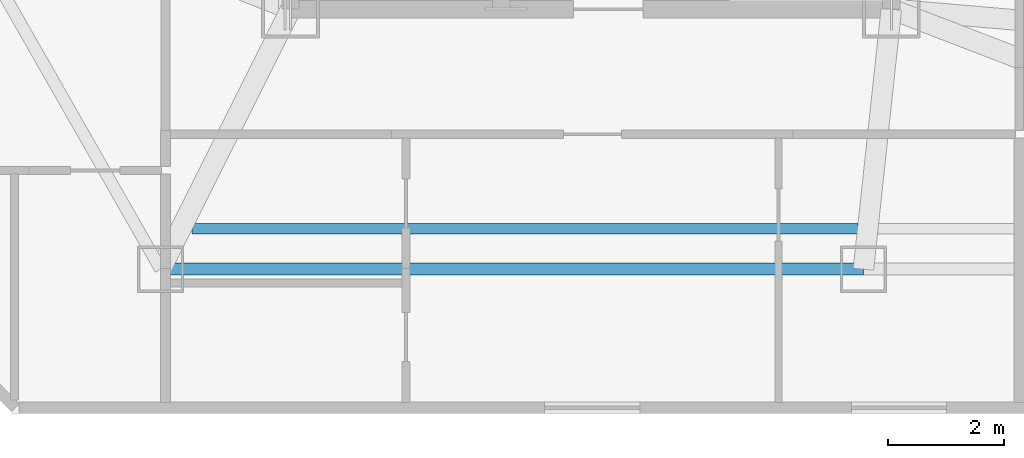
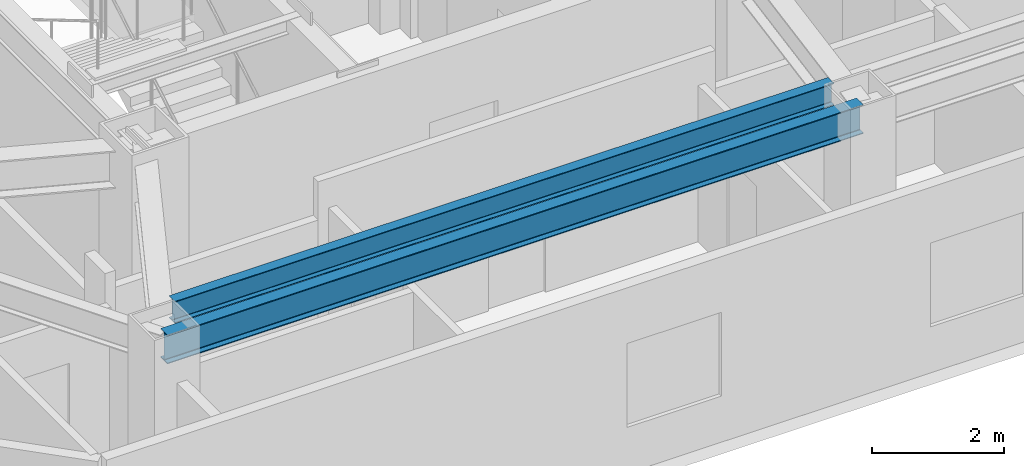
# One storey, part 3 of 14: 2 beams.
"""IFC4 building model written with IfcOpenShell, lengths in metres."""

from ifc_helpers import new_model, si_unit, direction, frame, origin, origin_2d, place, context, subcontext, project, spatial, i_section, extrude, material, material_profile, profile_set, type_object, element, save


model = new_model("IFC4")

# Units and contexts
model_context = context("Model", 3, precision=1e-05, world=origin(), true_north=direction((0.0, 1.0)))
body_context = subcontext(model_context, "Body", "Model", "MODEL_VIEW")
ifc_project = project(units=[si_unit("LENGTHUNIT", "METRE"), si_unit("AREAUNIT", "SQUARE_METRE"), si_unit("VOLUMEUNIT", "CUBIC_METRE"), si_unit("PLANEANGLEUNIT", "RADIAN"), si_unit("MASSUNIT", "GRAM", prefix="KILO")], contexts=[model_context])

# Site, building, storey
site_placement = place(None, origin())
site = spatial("IfcSite", under=ifc_project, at=site_placement, CompositionType="ELEMENT")
building_placement = place(site_placement, origin())
building = spatial("IfcBuilding", under=site, at=building_placement, Name="Khamvora Tower", CompositionType="ELEMENT")
storey_placement = place(building_placement, frame((0.0, 0.0, 253.699951171875)))
storey = spatial("IfcBuildingStorey", under=building, at=storey_placement, Name="L65", CompositionType="ELEMENT", Elevation=253.699951171875)

# Beams
ifc_material = material(Name="Steel S355", Category="steel")
ifc_material_profile_1 = material_profile(ifc_material, i_section(OverallWidth=0.177978515625, OverallDepth=0.406982421875, WebThickness=0.008056640625, FlangeThickness=0.012939453125, FilletRadius=0.010009765625, at=origin_2d()), Name="W410x60")
ifc_profile_set_1 = profile_set([ifc_material_profile_1], Name="Steel S355")
beam_type_1 = type_object("IfcBeamType", Name="BM-JS-W410x60", PredefinedType="JOIST", material=ifc_profile_set_1)
beam_1_placement = place(storey_placement, frame((27.29296875, 15.199951171875, 3.22607421875), z_axis=(1.0, 0.0, 0.0), x_axis=(0.0, 1.0, 0.0)))
element("IfcBeam", 1, at=beam_1_placement, inside=storey, type_object=beam_type_1, Name="L65 secondary floor joist 01", PredefinedType="JOIST", context=body_context, shape_type="SweptSolid", body=[
    extrude(i_section(OverallWidth=0.177978515625, OverallDepth=0.406982421875, WebThickness=0.008056640625, FlangeThickness=0.012939453125, FilletRadius=0.010009765625, at=origin_2d()), origin(), (0.0, 0.0, 1.0), 11.526123046875),
])
ifc_material_profile_2 = material_profile(ifc_material, i_section(OverallWidth=0.208984375, OverallDepth=0.532958984375, WebThickness=0.010009765625, FlangeThickness=0.01611328125, FilletRadius=0.013916015625, at=origin_2d()), Name="W530x92")
ifc_profile_set_2 = profile_set([ifc_material_profile_2], Name="Steel S355")
beam_type_2 = type_object("IfcBeamType", Name="BM-SP-W530x92", PredefinedType="SPANDREL", material=ifc_profile_set_2)
beam_2_placement = place(storey_placement, frame((26.75, 14.5, 3.1630859375), z_axis=(1.0, 0.0, 0.0), x_axis=(0.0, 1.0, 0.0)))
element("IfcBeam", 2, at=beam_2_placement, inside=storey, type_object=beam_type_2, Name="L65 perimeter spandrel beam S1-S2", PredefinedType="SPANDREL", context=body_context, shape_type="SweptSolid", body=[
    extrude(i_section(OverallWidth=0.208984375, OverallDepth=0.532958984375, WebThickness=0.010009765625, FlangeThickness=0.01611328125, FilletRadius=0.013916015625, at=origin_2d()), origin(), (0.0, 0.0, 1.0), 12.1669921875),
])

save(model, "model.ifc")
